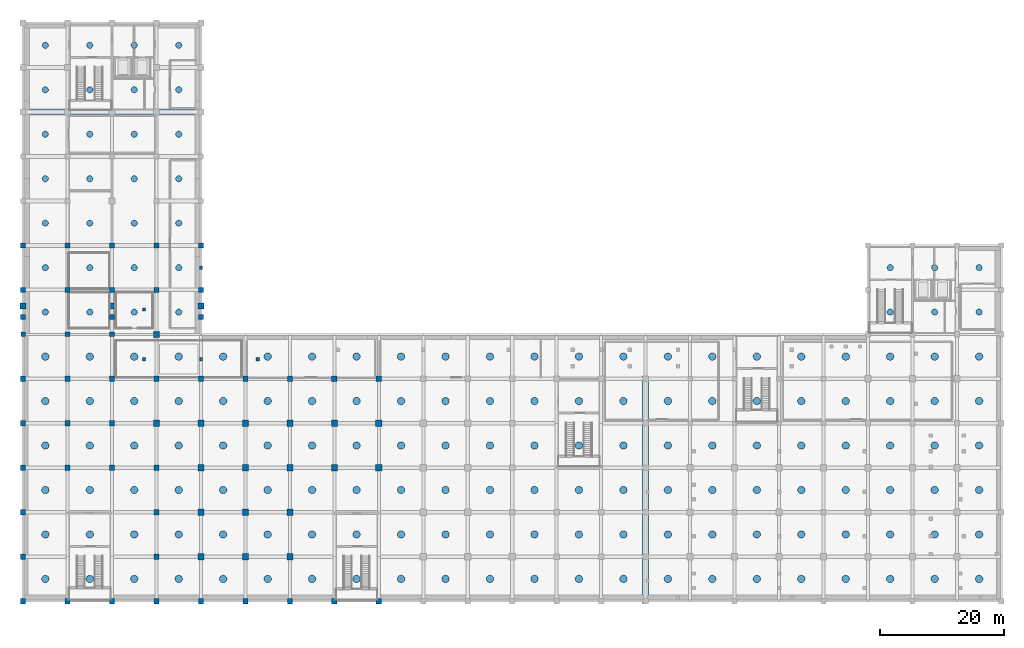
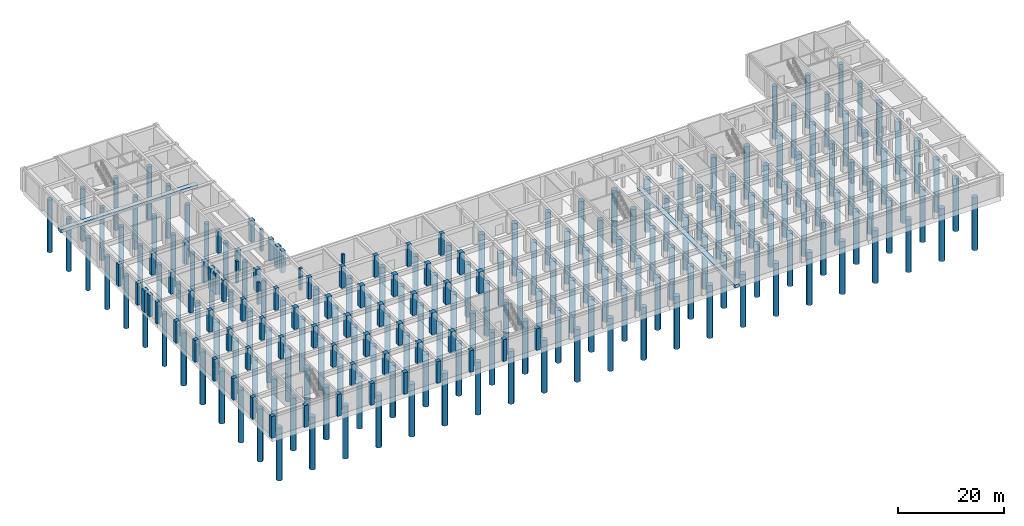
# One storey, part 1 of 15: 166 piles, 71 columns, 2 footings.
"""IFC4 building model written with IfcOpenShell, lengths in metres."""

from ifc_helpers import new_model, si_unit, direction, frame, origin, origin_2d, place, context, subcontext, project, spatial, rectangle, circle, extrude, material, material_profile, profile_set, type_object, element, save


model = new_model("IFC4")

# Units and contexts
model_context = context("Model", 3, precision=1e-05, world=origin(), true_north=direction((0.0, 1.0)))
body_context = subcontext(model_context, "Body", "Model", "MODEL_VIEW")
ifc_project = project(units=[si_unit("LENGTHUNIT", "METRE"), si_unit("AREAUNIT", "SQUARE_METRE"), si_unit("VOLUMEUNIT", "CUBIC_METRE"), si_unit("PLANEANGLEUNIT", "RADIAN"), si_unit("MASSUNIT", "GRAM", prefix="KILO")], contexts=[model_context])

# Site, building, storey
site_placement = place(None, origin())
site = spatial("IfcSite", under=ifc_project, at=site_placement, CompositionType="ELEMENT")
building_placement = place(site_placement, origin())
building = spatial("IfcBuilding", under=site, at=building_placement, Name="Leyfeld Transit Interchange", CompositionType="ELEMENT")
storey_placement = place(building_placement, frame((0.0, 0.0, -10.800048828125)))
storey = spatial("IfcBuildingStorey", under=building, at=storey_placement, Name="B02", CompositionType="ELEMENT", Elevation=-10.800048828125)

# Footings
ifc_material = material(Name="Concrete C35/45", Category="concrete")
footing_type = type_object("IfcFootingType", Name="FT-SF-1200x700", PredefinedType="STRIP_FOOTING", material=ifc_material)
footing_1_placement = place(storey_placement, frame((100.800048828125, 32.39990234375, -0.69970703125), z_axis=(0.0, 0.0, 1.0), x_axis=(1.0, 0.0, 0.0)))
element("IfcFooting", 1, at=footing_1_placement, inside=storey, type_object=footing_type, Name="Movement Joint Strip Footing Grid 15", PredefinedType="STRIP_FOOTING", context=body_context, shape_type="SweptSolid", body=[
    extrude(rectangle(XDim=1.0, YDim=36.85009765625, at=origin_2d()), origin(), (0.0, 0.0, 1.0), 0.699951171875),
])
footing_2_placement = place(storey_placement, frame((14.39990234375, 93.60009765625, -0.69970703125), z_axis=(0.0, 0.0, 1.0), x_axis=(1.0, 0.0, 0.0)))
element("IfcFooting", 2, at=footing_2_placement, inside=storey, type_object=footing_type, Name="Movement Joint Strip Footing Grid P", PredefinedType="STRIP_FOOTING", context=body_context, shape_type="SweptSolid", body=[
    extrude(rectangle(XDim=29.800048828125, YDim=1.0, at=origin_2d()), origin(), (0.0, 0.0, 1.0), 0.699951171875),
])

# Piles
ifc_material_profile_1 = material_profile(ifc_material, circle(Radius=0.5, at=origin_2d()), Name="PILE D1000")
ifc_profile_set_1 = profile_set([ifc_material_profile_1], Name="Concrete C35/45")
pile_type_1 = type_object("IfcPileType", Name="PILE-PL-1000", PredefinedType="BORED", material=ifc_profile_set_1)
for number, where, z_axis, x_axis, name in (
    (3, (3.60009765625, 61.199951171875, -1.050048828125), (0.0, 0.0, -1.0), (1.0, 0.0, 0.0), "Raft Bored Pile 0133"),
    (4, (3.60009765625, 68.39990234375, -1.050048828125), (0.0, 0.0, -1.0), (1.0, 0.0, 0.0), "Raft Bored Pile 0134"),
    (5, (3.60009765625, 75.60009765625, -1.050048828125), (0.0, 0.0, -1.0), (1.0, 0.0, 0.0), "Raft Bored Pile 0135"),
    (6, (3.60009765625, 82.800048828125, -1.050048828125), (0.0, 0.0, -1.0), (1.0, 0.0, 0.0), "Raft Bored Pile 0136"),
    (7, (3.60009765625, 90.0, -1.050048828125), (0.0, 0.0, -1.0), (1.0, 0.0, 0.0), "Raft Bored Pile 0137"),
    (8, (3.60009765625, 97.199951171875, -1.050048828125), (0.0, 0.0, -1.0), (1.0, 0.0, 0.0), "Raft Bored Pile 0138"),
    (9, (3.60009765625, 104.39990234375, -1.050048828125), (0.0, 0.0, -1.0), (1.0, 0.0, 0.0), "Raft Bored Pile 0139"),
    (10, (10.800048828125, 61.199951171875, -1.050048828125), (0.0, 0.0, -1.0), (1.0, 0.0, 0.0), "Raft Bored Pile 0140"),
    (11, (10.800048828125, 68.39990234375, -1.050048828125), (0.0, 0.0, -1.0), (1.0, 0.0, 0.0), "Raft Bored Pile 0141"),
    (12, (10.800048828125, 75.60009765625, -1.050048828125), (0.0, 0.0, -1.0), (1.0, 0.0, 0.0), "Raft Bored Pile 0142"),
    (13, (10.800048828125, 82.800048828125, -1.050048828125), (0.0, 0.0, -1.0), (1.0, 0.0, 0.0), "Raft Bored Pile 0143"),
    (14, (10.800048828125, 90.0, -1.050048828125), (0.0, 0.0, -1.0), (1.0, 0.0, 0.0), "Raft Bored Pile 0144"),
    (15, (10.800048828125, 97.199951171875, -1.050048828125), (0.0, 0.0, -1.0), (1.0, 0.0, 0.0), "Raft Bored Pile 0145"),
    (16, (10.800048828125, 104.39990234375, -1.050048828125), (0.0, 0.0, -1.0), (1.0, 0.0, 0.0), "Raft Bored Pile 0146"),
    (17, (18.0, 61.199951171875, -1.050048828125), (0.0, 0.0, -1.0), (1.0, 0.0, 0.0), "Raft Bored Pile 0147"),
    (18, (18.0, 68.39990234375, -1.050048828125), (0.0, 0.0, -1.0), (1.0, 0.0, 0.0), "Raft Bored Pile 0148"),
    (19, (18.0, 75.60009765625, -1.050048828125), (0.0, 0.0, -1.0), (1.0, 0.0, 0.0), "Raft Bored Pile 0149"),
    (20, (18.0, 82.800048828125, -1.050048828125), (0.0, 0.0, -1.0), (1.0, 0.0, 0.0), "Raft Bored Pile 0150"),
    (21, (18.0, 90.0, -1.050048828125), (0.0, 0.0, -1.0), (1.0, 0.0, 0.0), "Raft Bored Pile 0151"),
    (22, (18.0, 97.199951171875, -1.050048828125), (0.0, 0.0, -1.0), (1.0, 0.0, 0.0), "Raft Bored Pile 0152"),
    (23, (18.0, 104.39990234375, -1.050048828125), (0.0, 0.0, -1.0), (1.0, 0.0, 0.0), "Raft Bored Pile 0153"),
    (24, (25.199951171875, 61.199951171875, -1.050048828125), (0.0, 0.0, -1.0), (1.0, 0.0, 0.0), "Raft Bored Pile 0154"),
    (25, (25.199951171875, 68.39990234375, -1.050048828125), (0.0, 0.0, -1.0), (1.0, 0.0, 0.0), "Raft Bored Pile 0155"),
    (26, (25.199951171875, 75.60009765625, -1.050048828125), (0.0, 0.0, -1.0), (1.0, 0.0, 0.0), "Raft Bored Pile 0156"),
    (27, (25.199951171875, 82.800048828125, -1.050048828125), (0.0, 0.0, -1.0), (1.0, 0.0, 0.0), "Raft Bored Pile 0157"),
    (28, (25.199951171875, 90.0, -1.050048828125), (0.0, 0.0, -1.0), (1.0, 0.0, 0.0), "Raft Bored Pile 0158"),
    (29, (25.199951171875, 97.199951171875, -1.050048828125), (0.0, 0.0, -1.0), (1.0, 0.0, 0.0), "Raft Bored Pile 0159"),
    (30, (25.199951171875, 104.39990234375, -1.050048828125), (0.0, 0.0, -1.0), (1.0, 0.0, 0.0), "Raft Bored Pile 0160"),
    (31, (140.39990234375, 61.199951171875, -1.050048828125), (0.0, 0.0, -1.0), (1.0, 0.0, 0.0), "Raft Bored Pile 0161"),
    (32, (140.39990234375, 68.39990234375, -1.050048828125), (0.0, 0.0, -1.0), (1.0, 0.0, 0.0), "Raft Bored Pile 0162"),
    (33, (147.60009765625, 61.199951171875, -1.050048828125), (0.0, 0.0, -1.0), (1.0, 0.0, 0.0), "Raft Bored Pile 0163"),
    (34, (147.60009765625, 68.39990234375, -1.050048828125), (0.0, 0.0, -1.0), (1.0, 0.0, 0.0), "Raft Bored Pile 0164"),
    (35, (154.800048828125, 61.199951171875, -1.050048828125), (0.0, 0.0, -1.0), (1.0, 0.0, 0.0), "Raft Bored Pile 0165"),
    (36, (154.800048828125, 68.39990234375, -1.050048828125), (0.0, 0.0, -1.0), (1.0, 0.0, 0.0), "Raft Bored Pile 0166"),
):
    element("IfcPile", number, at=place(storey_placement, frame(where, z_axis=z_axis, x_axis=x_axis)), inside=storey, type_object=pile_type_1, Name=name, PredefinedType="BORED", context=body_context, shape_type="SweptSolid", body=[
        extrude(circle(Radius=0.5, at=origin_2d()), origin(), (0.0, 0.0, 1.0), 12.14990234375),
    ])
ifc_material_profile_2 = material_profile(ifc_material, circle(Radius=0.60009765625, at=origin_2d()), Name="PILE D1200")
ifc_profile_set_2 = profile_set([ifc_material_profile_2], Name="Concrete C35/45")
pile_type_2 = type_object("IfcPileType", Name="PILE-PL-1200", PredefinedType="BORED", material=ifc_profile_set_2)
for number, where, z_axis, x_axis, name in (
    (37, (3.60009765625, 18.0, -1.050048828125), (0.0, 0.0, -1.0), (1.0, 0.0, 0.0), "Raft Bored Pile 0001"),
    (38, (3.60009765625, 25.199951171875, -1.050048828125), (0.0, 0.0, -1.0), (1.0, 0.0, 0.0), "Raft Bored Pile 0002"),
    (39, (3.60009765625, 32.39990234375, -1.050048828125), (0.0, 0.0, -1.0), (1.0, 0.0, 0.0), "Raft Bored Pile 0003"),
    (40, (3.60009765625, 39.60009765625, -1.050048828125), (0.0, 0.0, -1.0), (1.0, 0.0, 0.0), "Raft Bored Pile 0004"),
    (41, (3.60009765625, 46.800048828125, -1.050048828125), (0.0, 0.0, -1.0), (1.0, 0.0, 0.0), "Raft Bored Pile 0005"),
    (42, (3.60009765625, 54.0, -1.050048828125), (0.0, 0.0, -1.0), (1.0, 0.0, 0.0), "Raft Bored Pile 0006"),
    (43, (10.800048828125, 18.0, -1.050048828125), (0.0, 0.0, -1.0), (1.0, 0.0, 0.0), "Raft Bored Pile 0007"),
    (44, (10.800048828125, 25.199951171875, -1.050048828125), (0.0, 0.0, -1.0), (1.0, 0.0, 0.0), "Raft Bored Pile 0008"),
    (45, (10.800048828125, 32.39990234375, -1.050048828125), (0.0, 0.0, -1.0), (1.0, 0.0, 0.0), "Raft Bored Pile 0009"),
    (46, (10.800048828125, 39.60009765625, -1.050048828125), (0.0, 0.0, -1.0), (1.0, 0.0, 0.0), "Raft Bored Pile 0010"),
    (47, (10.800048828125, 46.800048828125, -1.050048828125), (0.0, 0.0, -1.0), (1.0, 0.0, 0.0), "Raft Bored Pile 0011"),
    (48, (10.800048828125, 54.0, -1.050048828125), (0.0, 0.0, -1.0), (1.0, 0.0, 0.0), "Raft Bored Pile 0012"),
    (49, (18.0, 18.0, -1.050048828125), (0.0, 0.0, -1.0), (1.0, 0.0, 0.0), "Raft Bored Pile 0013"),
    (50, (18.0, 25.199951171875, -1.050048828125), (0.0, 0.0, -1.0), (1.0, 0.0, 0.0), "Raft Bored Pile 0014"),
    (51, (18.0, 32.39990234375, -1.050048828125), (0.0, 0.0, -1.0), (1.0, 0.0, 0.0), "Raft Bored Pile 0015"),
    (52, (18.0, 39.60009765625, -1.050048828125), (0.0, 0.0, -1.0), (1.0, 0.0, 0.0), "Raft Bored Pile 0016"),
    (53, (18.0, 46.800048828125, -1.050048828125), (0.0, 0.0, -1.0), (1.0, 0.0, 0.0), "Raft Bored Pile 0017"),
    (54, (18.0, 54.0, -1.050048828125), (0.0, 0.0, -1.0), (1.0, 0.0, 0.0), "Raft Bored Pile 0018"),
    (55, (25.199951171875, 18.0, -1.050048828125), (0.0, 0.0, -1.0), (1.0, 0.0, 0.0), "Raft Bored Pile 0019"),
    (56, (25.199951171875, 25.199951171875, -1.050048828125), (0.0, 0.0, -1.0), (1.0, 0.0, 0.0), "Raft Bored Pile 0020"),
    (57, (25.199951171875, 32.39990234375, -1.050048828125), (0.0, 0.0, -1.0), (1.0, 0.0, 0.0), "Raft Bored Pile 0021"),
    (58, (25.199951171875, 39.60009765625, -1.050048828125), (0.0, 0.0, -1.0), (1.0, 0.0, 0.0), "Raft Bored Pile 0022"),
    (59, (25.199951171875, 46.800048828125, -1.050048828125), (0.0, 0.0, -1.0), (1.0, 0.0, 0.0), "Raft Bored Pile 0023"),
    (60, (25.199951171875, 54.0, -1.050048828125), (0.0, 0.0, -1.0), (1.0, 0.0, 0.0), "Raft Bored Pile 0024"),
    (61, (32.39990234375, 18.0, -1.050048828125), (0.0, 0.0, -1.0), (1.0, 0.0, 0.0), "Raft Bored Pile 0025"),
    (62, (32.39990234375, 25.199951171875, -1.050048828125), (0.0, 0.0, -1.0), (1.0, 0.0, 0.0), "Raft Bored Pile 0026"),
    (63, (32.39990234375, 32.39990234375, -1.050048828125), (0.0, 0.0, -1.0), (1.0, 0.0, 0.0), "Raft Bored Pile 0027"),
    (64, (32.39990234375, 39.60009765625, -1.050048828125), (0.0, 0.0, -1.0), (1.0, 0.0, 0.0), "Raft Bored Pile 0028"),
    (65, (32.39990234375, 46.800048828125, -1.050048828125), (0.0, 0.0, -1.0), (1.0, 0.0, 0.0), "Raft Bored Pile 0029"),
    (66, (32.39990234375, 54.0, -1.050048828125), (0.0, 0.0, -1.0), (1.0, 0.0, 0.0), "Raft Bored Pile 0030"),
    (67, (39.60009765625, 18.0, -1.050048828125), (0.0, 0.0, -1.0), (1.0, 0.0, 0.0), "Raft Bored Pile 0031"),
    (68, (39.60009765625, 25.199951171875, -1.050048828125), (0.0, 0.0, -1.0), (1.0, 0.0, 0.0), "Raft Bored Pile 0032"),
    (69, (39.60009765625, 32.39990234375, -1.050048828125), (0.0, 0.0, -1.0), (1.0, 0.0, 0.0), "Raft Bored Pile 0033"),
    (70, (39.60009765625, 39.60009765625, -1.050048828125), (0.0, 0.0, -1.0), (1.0, 0.0, 0.0), "Raft Bored Pile 0034"),
    (71, (39.60009765625, 46.800048828125, -1.050048828125), (0.0, 0.0, -1.0), (1.0, 0.0, 0.0), "Raft Bored Pile 0035"),
    (72, (39.60009765625, 54.0, -1.050048828125), (0.0, 0.0, -1.0), (1.0, 0.0, 0.0), "Raft Bored Pile 0036"),
    (73, (46.800048828125, 18.0, -1.050048828125), (0.0, 0.0, -1.0), (1.0, 0.0, 0.0), "Raft Bored Pile 0037"),
    (74, (46.800048828125, 25.199951171875, -1.050048828125), (0.0, 0.0, -1.0), (1.0, 0.0, 0.0), "Raft Bored Pile 0038"),
    (75, (46.800048828125, 32.39990234375, -1.050048828125), (0.0, 0.0, -1.0), (1.0, 0.0, 0.0), "Raft Bored Pile 0039"),
    (76, (46.800048828125, 39.60009765625, -1.050048828125), (0.0, 0.0, -1.0), (1.0, 0.0, 0.0), "Raft Bored Pile 0040"),
    (77, (46.800048828125, 46.800048828125, -1.050048828125), (0.0, 0.0, -1.0), (1.0, 0.0, 0.0), "Raft Bored Pile 0041"),
    (78, (46.800048828125, 54.0, -1.050048828125), (0.0, 0.0, -1.0), (1.0, 0.0, 0.0), "Raft Bored Pile 0042"),
    (79, (54.0, 18.0, -1.050048828125), (0.0, 0.0, -1.0), (1.0, 0.0, 0.0), "Raft Bored Pile 0043"),
    (80, (54.0, 25.199951171875, -1.050048828125), (0.0, 0.0, -1.0), (1.0, 0.0, 0.0), "Raft Bored Pile 0044"),
    (81, (54.0, 32.39990234375, -1.050048828125), (0.0, 0.0, -1.0), (1.0, 0.0, 0.0), "Raft Bored Pile 0045"),
    (82, (54.0, 39.60009765625, -1.050048828125), (0.0, 0.0, -1.0), (1.0, 0.0, 0.0), "Raft Bored Pile 0046"),
    (83, (54.0, 46.800048828125, -1.050048828125), (0.0, 0.0, -1.0), (1.0, 0.0, 0.0), "Raft Bored Pile 0047"),
    (84, (54.0, 54.0, -1.050048828125), (0.0, 0.0, -1.0), (1.0, 0.0, 0.0), "Raft Bored Pile 0048"),
    (85, (61.199951171875, 18.0, -1.050048828125), (0.0, 0.0, -1.0), (1.0, 0.0, 0.0), "Raft Bored Pile 0049"),
    (86, (61.199951171875, 25.199951171875, -1.050048828125), (0.0, 0.0, -1.0), (1.0, 0.0, 0.0), "Raft Bored Pile 0050"),
    (87, (61.199951171875, 32.39990234375, -1.050048828125), (0.0, 0.0, -1.0), (1.0, 0.0, 0.0), "Raft Bored Pile 0051"),
    (88, (61.199951171875, 39.60009765625, -1.050048828125), (0.0, 0.0, -1.0), (1.0, 0.0, 0.0), "Raft Bored Pile 0052"),
    (89, (61.199951171875, 46.800048828125, -1.050048828125), (0.0, 0.0, -1.0), (1.0, 0.0, 0.0), "Raft Bored Pile 0053"),
    (90, (61.199951171875, 54.0, -1.050048828125), (0.0, 0.0, -1.0), (1.0, 0.0, 0.0), "Raft Bored Pile 0054"),
    (91, (68.39990234375, 18.0, -1.050048828125), (0.0, 0.0, -1.0), (1.0, 0.0, 0.0), "Raft Bored Pile 0055"),
    (92, (68.39990234375, 25.199951171875, -1.050048828125), (0.0, 0.0, -1.0), (1.0, 0.0, 0.0), "Raft Bored Pile 0056"),
    (93, (68.39990234375, 32.39990234375, -1.050048828125), (0.0, 0.0, -1.0), (1.0, 0.0, 0.0), "Raft Bored Pile 0057"),
    (94, (68.39990234375, 39.60009765625, -1.050048828125), (0.0, 0.0, -1.0), (1.0, 0.0, 0.0), "Raft Bored Pile 0058"),
    (95, (68.39990234375, 46.800048828125, -1.050048828125), (0.0, 0.0, -1.0), (1.0, 0.0, 0.0), "Raft Bored Pile 0059"),
    (96, (68.39990234375, 54.0, -1.050048828125), (0.0, 0.0, -1.0), (1.0, 0.0, 0.0), "Raft Bored Pile 0060"),
    (97, (75.60009765625, 18.0, -1.050048828125), (0.0, 0.0, -1.0), (1.0, 0.0, 0.0), "Raft Bored Pile 0061"),
    (98, (75.60009765625, 25.199951171875, -1.050048828125), (0.0, 0.0, -1.0), (1.0, 0.0, 0.0), "Raft Bored Pile 0062"),
    (99, (75.60009765625, 32.39990234375, -1.050048828125), (0.0, 0.0, -1.0), (1.0, 0.0, 0.0), "Raft Bored Pile 0063"),
    (100, (75.60009765625, 39.60009765625, -1.050048828125), (0.0, 0.0, -1.0), (1.0, 0.0, 0.0), "Raft Bored Pile 0064"),
    (101, (75.60009765625, 46.800048828125, -1.050048828125), (0.0, 0.0, -1.0), (1.0, 0.0, 0.0), "Raft Bored Pile 0065"),
    (102, (75.60009765625, 54.0, -1.050048828125), (0.0, 0.0, -1.0), (1.0, 0.0, 0.0), "Raft Bored Pile 0066"),
    (103, (82.800048828125, 18.0, -1.050048828125), (0.0, 0.0, -1.0), (1.0, 0.0, 0.0), "Raft Bored Pile 0067"),
    (104, (82.800048828125, 25.199951171875, -1.050048828125), (0.0, 0.0, -1.0), (1.0, 0.0, 0.0), "Raft Bored Pile 0068"),
    (105, (82.800048828125, 32.39990234375, -1.050048828125), (0.0, 0.0, -1.0), (1.0, 0.0, 0.0), "Raft Bored Pile 0069"),
    (106, (82.800048828125, 39.60009765625, -1.050048828125), (0.0, 0.0, -1.0), (1.0, 0.0, 0.0), "Raft Bored Pile 0070"),
    (107, (82.800048828125, 46.800048828125, -1.050048828125), (0.0, 0.0, -1.0), (1.0, 0.0, 0.0), "Raft Bored Pile 0071"),
    (108, (82.800048828125, 54.0, -1.050048828125), (0.0, 0.0, -1.0), (1.0, 0.0, 0.0), "Raft Bored Pile 0072"),
    (109, (90.0, 18.0, -1.050048828125), (0.0, 0.0, -1.0), (1.0, 0.0, 0.0), "Raft Bored Pile 0073"),
    (110, (90.0, 25.199951171875, -1.050048828125), (0.0, 0.0, -1.0), (1.0, 0.0, 0.0), "Raft Bored Pile 0074"),
    (111, (90.0, 32.39990234375, -1.050048828125), (0.0, 0.0, -1.0), (1.0, 0.0, 0.0), "Raft Bored Pile 0075"),
    (112, (90.0, 39.60009765625, -1.050048828125), (0.0, 0.0, -1.0), (1.0, 0.0, 0.0), "Raft Bored Pile 0076"),
    (113, (90.0, 46.800048828125, -1.050048828125), (0.0, 0.0, -1.0), (1.0, 0.0, 0.0), "Raft Bored Pile 0077"),
    (114, (90.0, 54.0, -1.050048828125), (0.0, 0.0, -1.0), (1.0, 0.0, 0.0), "Raft Bored Pile 0078"),
    (115, (97.199951171875, 18.0, -1.050048828125), (0.0, 0.0, -1.0), (1.0, 0.0, 0.0), "Raft Bored Pile 0079"),
    (116, (97.199951171875, 25.199951171875, -1.050048828125), (0.0, 0.0, -1.0), (1.0, 0.0, 0.0), "Raft Bored Pile 0080"),
    (117, (97.199951171875, 32.39990234375, -1.050048828125), (0.0, 0.0, -1.0), (1.0, 0.0, 0.0), "Raft Bored Pile 0081"),
    (118, (97.199951171875, 39.60009765625, -1.050048828125), (0.0, 0.0, -1.0), (1.0, 0.0, 0.0), "Raft Bored Pile 0082"),
    (119, (97.199951171875, 46.800048828125, -1.050048828125), (0.0, 0.0, -1.0), (1.0, 0.0, 0.0), "Raft Bored Pile 0083"),
    (120, (97.199951171875, 54.0, -1.050048828125), (0.0, 0.0, -1.0), (1.0, 0.0, 0.0), "Raft Bored Pile 0084"),
    (121, (104.39990234375, 18.0, -1.050048828125), (0.0, 0.0, -1.0), (1.0, 0.0, 0.0), "Raft Bored Pile 0085"),
    (122, (104.39990234375, 25.199951171875, -1.050048828125), (0.0, 0.0, -1.0), (1.0, 0.0, 0.0), "Raft Bored Pile 0086"),
    (123, (104.39990234375, 32.39990234375, -1.050048828125), (0.0, 0.0, -1.0), (1.0, 0.0, 0.0), "Raft Bored Pile 0087"),
    (124, (104.39990234375, 39.60009765625, -1.050048828125), (0.0, 0.0, -1.0), (1.0, 0.0, 0.0), "Raft Bored Pile 0088"),
    (125, (104.39990234375, 46.800048828125, -1.050048828125), (0.0, 0.0, -1.0), (1.0, 0.0, 0.0), "Raft Bored Pile 0089"),
    (126, (104.39990234375, 54.0, -1.050048828125), (0.0, 0.0, -1.0), (1.0, 0.0, 0.0), "Raft Bored Pile 0090"),
    (127, (111.60009765625, 18.0, -1.050048828125), (0.0, 0.0, -1.0), (1.0, 0.0, 0.0), "Raft Bored Pile 0091"),
    (128, (111.60009765625, 25.199951171875, -1.050048828125), (0.0, 0.0, -1.0), (1.0, 0.0, 0.0), "Raft Bored Pile 0092"),
    (129, (111.60009765625, 32.39990234375, -1.050048828125), (0.0, 0.0, -1.0), (1.0, 0.0, 0.0), "Raft Bored Pile 0093"),
    (130, (111.60009765625, 39.60009765625, -1.050048828125), (0.0, 0.0, -1.0), (1.0, 0.0, 0.0), "Raft Bored Pile 0094"),
    (131, (111.60009765625, 46.800048828125, -1.050048828125), (0.0, 0.0, -1.0), (1.0, 0.0, 0.0), "Raft Bored Pile 0095"),
    (132, (111.60009765625, 54.0, -1.050048828125), (0.0, 0.0, -1.0), (1.0, 0.0, 0.0), "Raft Bored Pile 0096"),
    (133, (118.800048828125, 18.0, -1.050048828125), (0.0, 0.0, -1.0), (1.0, 0.0, 0.0), "Raft Bored Pile 0097"),
    (134, (118.800048828125, 25.199951171875, -1.050048828125), (0.0, 0.0, -1.0), (1.0, 0.0, 0.0), "Raft Bored Pile 0098"),
    (135, (118.800048828125, 32.39990234375, -1.050048828125), (0.0, 0.0, -1.0), (1.0, 0.0, 0.0), "Raft Bored Pile 0099"),
    (136, (118.800048828125, 39.60009765625, -1.050048828125), (0.0, 0.0, -1.0), (1.0, 0.0, 0.0), "Raft Bored Pile 0100"),
    (137, (118.800048828125, 46.800048828125, -1.050048828125), (0.0, 0.0, -1.0), (1.0, 0.0, 0.0), "Raft Bored Pile 0101"),
    (138, (118.800048828125, 54.0, -1.050048828125), (0.0, 0.0, -1.0), (1.0, 0.0, 0.0), "Raft Bored Pile 0102"),
    (139, (126.0, 18.0, -1.050048828125), (0.0, 0.0, -1.0), (1.0, 0.0, 0.0), "Raft Bored Pile 0103"),
    (140, (126.0, 25.199951171875, -1.050048828125), (0.0, 0.0, -1.0), (1.0, 0.0, 0.0), "Raft Bored Pile 0104"),
    (141, (126.0, 32.39990234375, -1.050048828125), (0.0, 0.0, -1.0), (1.0, 0.0, 0.0), "Raft Bored Pile 0105"),
    (142, (126.0, 39.60009765625, -1.050048828125), (0.0, 0.0, -1.0), (1.0, 0.0, 0.0), "Raft Bored Pile 0106"),
    (143, (126.0, 46.800048828125, -1.050048828125), (0.0, 0.0, -1.0), (1.0, 0.0, 0.0), "Raft Bored Pile 0107"),
    (144, (126.0, 54.0, -1.050048828125), (0.0, 0.0, -1.0), (1.0, 0.0, 0.0), "Raft Bored Pile 0108"),
    (145, (133.199951171875, 18.0, -1.050048828125), (0.0, 0.0, -1.0), (1.0, 0.0, 0.0), "Raft Bored Pile 0109"),
    (146, (133.199951171875, 25.199951171875, -1.050048828125), (0.0, 0.0, -1.0), (1.0, 0.0, 0.0), "Raft Bored Pile 0110"),
    (147, (133.199951171875, 32.39990234375, -1.050048828125), (0.0, 0.0, -1.0), (1.0, 0.0, 0.0), "Raft Bored Pile 0111"),
    (148, (133.199951171875, 39.60009765625, -1.050048828125), (0.0, 0.0, -1.0), (1.0, 0.0, 0.0), "Raft Bored Pile 0112"),
    (149, (133.199951171875, 46.800048828125, -1.050048828125), (0.0, 0.0, -1.0), (1.0, 0.0, 0.0), "Raft Bored Pile 0113"),
    (150, (133.199951171875, 54.0, -1.050048828125), (0.0, 0.0, -1.0), (1.0, 0.0, 0.0), "Raft Bored Pile 0114"),
    (151, (140.39990234375, 18.0, -1.050048828125), (0.0, 0.0, -1.0), (1.0, 0.0, 0.0), "Raft Bored Pile 0115"),
    (152, (140.39990234375, 25.199951171875, -1.050048828125), (0.0, 0.0, -1.0), (1.0, 0.0, 0.0), "Raft Bored Pile 0116"),
    (153, (140.39990234375, 32.39990234375, -1.050048828125), (0.0, 0.0, -1.0), (1.0, 0.0, 0.0), "Raft Bored Pile 0117"),
    (154, (140.39990234375, 39.60009765625, -1.050048828125), (0.0, 0.0, -1.0), (1.0, 0.0, 0.0), "Raft Bored Pile 0118"),
    (155, (140.39990234375, 46.800048828125, -1.050048828125), (0.0, 0.0, -1.0), (1.0, 0.0, 0.0), "Raft Bored Pile 0119"),
    (156, (140.39990234375, 54.0, -1.050048828125), (0.0, 0.0, -1.0), (1.0, 0.0, 0.0), "Raft Bored Pile 0120"),
    (157, (147.60009765625, 18.0, -1.050048828125), (0.0, 0.0, -1.0), (1.0, 0.0, 0.0), "Raft Bored Pile 0121"),
    (158, (147.60009765625, 25.199951171875, -1.050048828125), (0.0, 0.0, -1.0), (1.0, 0.0, 0.0), "Raft Bored Pile 0122"),
    (159, (147.60009765625, 32.39990234375, -1.050048828125), (0.0, 0.0, -1.0), (1.0, 0.0, 0.0), "Raft Bored Pile 0123"),
    (160, (147.60009765625, 39.60009765625, -1.050048828125), (0.0, 0.0, -1.0), (1.0, 0.0, 0.0), "Raft Bored Pile 0124"),
    (161, (147.60009765625, 46.800048828125, -1.050048828125), (0.0, 0.0, -1.0), (1.0, 0.0, 0.0), "Raft Bored Pile 0125"),
    (162, (147.60009765625, 54.0, -1.050048828125), (0.0, 0.0, -1.0), (1.0, 0.0, 0.0), "Raft Bored Pile 0126"),
    (163, (154.800048828125, 18.0, -1.050048828125), (0.0, 0.0, -1.0), (1.0, 0.0, 0.0), "Raft Bored Pile 0127"),
    (164, (154.800048828125, 25.199951171875, -1.050048828125), (0.0, 0.0, -1.0), (1.0, 0.0, 0.0), "Raft Bored Pile 0128"),
    (165, (154.800048828125, 32.39990234375, -1.050048828125), (0.0, 0.0, -1.0), (1.0, 0.0, 0.0), "Raft Bored Pile 0129"),
    (166, (154.800048828125, 39.60009765625, -1.050048828125), (0.0, 0.0, -1.0), (1.0, 0.0, 0.0), "Raft Bored Pile 0130"),
    (167, (154.800048828125, 46.800048828125, -1.050048828125), (0.0, 0.0, -1.0), (1.0, 0.0, 0.0), "Raft Bored Pile 0131"),
    (168, (154.800048828125, 54.0, -1.050048828125), (0.0, 0.0, -1.0), (1.0, 0.0, 0.0), "Raft Bored Pile 0132"),
):
    element("IfcPile", number, at=place(storey_placement, frame(where, z_axis=z_axis, x_axis=x_axis)), inside=storey, type_object=pile_type_2, Name=name, PredefinedType="BORED", context=body_context, shape_type="SweptSolid", body=[
        extrude(circle(Radius=0.60009765625, at=origin_2d()), origin(), (0.0, 0.0, 1.0), 12.14990234375),
    ])

# Columns
ifc_material_profile_3 = material_profile(ifc_material, rectangle(XDim=1.0, YDim=1.0, at=origin_2d()), Name="RC 1000x1000")
ifc_profile_set_3 = profile_set([ifc_material_profile_3], Name="Concrete C35/45")
column_type_1 = type_object("IfcColumnType", Name="COL-RC-1000", PredefinedType="COLUMN", material=ifc_profile_set_3)
for number, where, z_axis, x_axis, name in (
    (169, (0.0, 62.199951171875, 0.0), (0.0, 0.0, 1.0), (1.0, 0.0, 0.0), "Column COL-B02-0000_0622"),
    (170, (14.39990234375, 62.199951171875, 0.0), (0.0, 0.0, 1.0), (1.0, 0.0, 0.0), "Column COL-B02-0144_0622"),
    (171, (21.60009765625, 43.199951171875, 0.0), (0.0, 0.0, 1.0), (1.0, 0.0, 0.0), "Column COL-B02-0216_0432"),
    (172, (21.60009765625, 57.60009765625, 0.0), (0.0, 0.0, 1.0), (1.0, 0.0, 0.0), "Column COL-B02-0216_0576"),
    (173, (28.800048828125, 21.60009765625, 0.0), (0.0, 0.0, 1.0), (1.0, 0.0, 0.0), "Column COL-B02-0288_0216"),
    (174, (28.800048828125, 28.800048828125, 0.0), (0.0, 0.0, 1.0), (1.0, 0.0, 0.0), "Column COL-B02-0288_0288"),
    (175, (28.800048828125, 36.0, 0.0), (0.0, 0.0, 1.0), (1.0, 0.0, 0.0), "Column COL-B02-0288_0360"),
    (176, (28.800048828125, 43.199951171875, 0.0), (0.0, 0.0, 1.0), (1.0, 0.0, 0.0), "Column COL-B02-0288_0432"),
    (177, (28.800048828125, 62.199951171875, 0.0), (0.0, 0.0, 1.0), (1.0, 0.0, 0.0), "Column COL-B02-0288_0622"),
    (178, (36.0, 21.60009765625, 0.0), (0.0, 0.0, 1.0), (1.0, 0.0, 0.0), "Column COL-B02-0360_0216"),
    (179, (36.0, 28.800048828125, 0.0), (0.0, 0.0, 1.0), (1.0, 0.0, 0.0), "Column COL-B02-0360_0288"),
    (180, (36.0, 36.0, 0.0), (0.0, 0.0, 1.0), (1.0, 0.0, 0.0), "Column COL-B02-0360_0360"),
    (181, (36.0, 43.199951171875, 0.0), (0.0, 0.0, 1.0), (1.0, 0.0, 0.0), "Column COL-B02-0360_0432"),
    (182, (43.199951171875, 21.60009765625, 0.0), (0.0, 0.0, 1.0), (1.0, 0.0, 0.0), "Column COL-B02-0432_0216"),
    (183, (43.199951171875, 28.800048828125, 0.0), (0.0, 0.0, 1.0), (1.0, 0.0, 0.0), "Column COL-B02-0432_0288"),
    (184, (43.199951171875, 36.0, 0.0), (0.0, 0.0, 1.0), (1.0, 0.0, 0.0), "Column COL-B02-0432_0360"),
    (185, (43.199951171875, 43.199951171875, 0.0), (0.0, 0.0, 1.0), (1.0, 0.0, 0.0), "Column COL-B02-0432_0432"),
    (186, (50.39990234375, 36.0, 0.0), (0.0, 0.0, 1.0), (1.0, 0.0, 0.0), "Column COL-B02-0504_0360"),
    (187, (50.39990234375, 43.199951171875, 0.0), (0.0, 0.0, 1.0), (1.0, 0.0, 0.0), "Column COL-B02-0504_0432"),
    (188, (57.60009765625, 36.0, 0.0), (0.0, 0.0, 1.0), (1.0, 0.0, 0.0), "Column COL-B02-0576_0360"),
    (189, (57.60009765625, 43.199951171875, 0.0), (0.0, 0.0, 1.0), (1.0, 0.0, 0.0), "Column COL-B02-0576_0432"),
):
    element("IfcColumn", number, at=place(storey_placement, frame(where, z_axis=z_axis, x_axis=x_axis)), inside=storey, type_object=column_type_1, Name=name, PredefinedType="COLUMN", context=body_context, shape_type="SweptSolid", body=[
        extrude(rectangle(XDim=1.0, YDim=1.0, at=origin_2d()), origin(), (0.0, 0.0, 1.0), 5.0),
    ])
ifc_material_profile_4 = material_profile(ifc_material, rectangle(XDim=0.550048828125, YDim=0.550048828125, at=origin_2d()), Name="RC 550x550")
ifc_profile_set_4 = profile_set([ifc_material_profile_4], Name="Concrete C35/45")
column_type_2 = type_object("IfcColumnType", Name="COL-RC-550", PredefinedType="COLUMN", material=ifc_profile_set_4)
for number, where, z_axis, x_axis, name in (
    (190, (19.583984375, 53.568115234375, 0.0), (0.0, 0.0, 1.0), (1.0, 0.0, 0.0), "Plaza Support Column B02 019"),
    (191, (19.583984375, 61.632080078125, 0.0), (0.0, 0.0, 1.0), (1.0, 0.0, 0.0), "Plaza Support Column B02 020"),
    (192, (28.800048828125, 53.568115234375, 0.0), (0.0, 0.0, 1.0), (1.0, 0.0, 0.0), "Plaza Support Column B02 021"),
    (193, (38.01611328125, 53.568115234375, 0.0), (0.0, 0.0, 1.0), (1.0, 0.0, 0.0), "Plaza Support Column B02 022"),
    (194, (28.800048828125, 68.39990234375, 0.0), (0.0, 0.0, 1.0), (1.0, 0.0, 0.0), "Cycle Ramp Pier B02"),
):
    element("IfcColumn", number, at=place(storey_placement, frame(where, z_axis=z_axis, x_axis=x_axis)), inside=storey, type_object=column_type_2, Name=name, PredefinedType="COLUMN", context=body_context, shape_type="SweptSolid", body=[
        extrude(rectangle(XDim=0.550048828125, YDim=0.550048828125, at=origin_2d()), origin(), (0.0, 0.0, 1.0), 5.0),
    ])
ifc_material_profile_5 = material_profile(ifc_material, rectangle(XDim=0.75, YDim=0.75, at=origin_2d()), Name="RC 750x750")
ifc_profile_set_5 = profile_set([ifc_material_profile_5], Name="Concrete C35/45")
column_type_3 = type_object("IfcColumnType", Name="COL-RC-750", PredefinedType="COLUMN", material=ifc_profile_set_5)
for number, where, z_axis, x_axis, name in (
    (195, (0.0, 57.60009765625, 0.0), (0.0, 0.0, 1.0), (1.0, 0.0, 0.0), "Column COL-B02-0000_0576"),
    (196, (7.199951171875, 57.60009765625, 0.0), (0.0, 0.0, 1.0), (1.0, 0.0, 0.0), "Column COL-B02-0072_0576"),
    (197, (14.39990234375, 57.60009765625, 0.0), (0.0, 0.0, 1.0), (1.0, 0.0, 0.0), "Column COL-B02-0144_0576"),
):
    element("IfcColumn", number, at=place(storey_placement, frame(where, z_axis=z_axis, x_axis=x_axis)), inside=storey, type_object=column_type_3, Name=name, PredefinedType="COLUMN", context=body_context, shape_type="SweptSolid", body=[
        extrude(rectangle(XDim=0.75, YDim=0.75, at=origin_2d()), origin(), (0.0, 0.0, 1.0), 5.0),
    ])
ifc_material_profile_6 = material_profile(ifc_material, rectangle(XDim=0.85009765625, YDim=0.85009765625, at=origin_2d()), Name="RC 850x850")
ifc_profile_set_6 = profile_set([ifc_material_profile_6], Name="Concrete C35/45")
column_type_4 = type_object("IfcColumnType", Name="COL-RC-850", PredefinedType="COLUMN", material=ifc_profile_set_6)
for number, where, z_axis, x_axis, name in (
    (198, (0.0, 14.39990234375, 0.0), (0.0, 0.0, 1.0), (1.0, 0.0, 0.0), "Column COL-B02-0000_0144"),
    (199, (0.0, 21.60009765625, 0.0), (0.0, 0.0, 1.0), (1.0, 0.0, 0.0), "Column COL-B02-0000_0216"),
    (200, (0.0, 28.800048828125, 0.0), (0.0, 0.0, 1.0), (1.0, 0.0, 0.0), "Column COL-B02-0000_0288"),
    (201, (0.0, 36.0, 0.0), (0.0, 0.0, 1.0), (1.0, 0.0, 0.0), "Column COL-B02-0000_0360"),
    (202, (0.0, 43.199951171875, 0.0), (0.0, 0.0, 1.0), (1.0, 0.0, 0.0), "Column COL-B02-0000_0432"),
    (203, (0.0, 50.39990234375, 0.0), (0.0, 0.0, 1.0), (1.0, 0.0, 0.0), "Column COL-B02-0000_0504"),
    (204, (0.0, 60.39990234375, 0.0), (0.0, 0.0, 1.0), (1.0, 0.0, 0.0), "Column COL-B02-0000_0604"),
    (205, (0.0, 64.800048828125, 0.0), (0.0, 0.0, 1.0), (1.0, 0.0, 0.0), "Column COL-B02-0000_0648"),
    (206, (0.0, 72.0, 0.0), (0.0, 0.0, 1.0), (0.0, 1.0, 0.0), "Column COL-B02-0000_0720"),
    (207, (7.199951171875, 14.39990234375, 0.0), (0.0, 0.0, 1.0), (1.0, 0.0, 0.0), "Column COL-B02-0072_0144"),
    (208, (7.199951171875, 36.0, 0.0), (0.0, 0.0, 1.0), (1.0, 0.0, 0.0), "Column COL-B02-0072_0360"),
    (209, (7.199951171875, 43.199951171875, 0.0), (0.0, 0.0, 1.0), (1.0, 0.0, 0.0), "Column COL-B02-0072_0432"),
    (210, (7.199951171875, 50.39990234375, 0.0), (0.0, 0.0, 1.0), (1.0, 0.0, 0.0), "Column COL-B02-0072_0504"),
    (211, (7.199951171875, 64.800048828125, 0.0), (0.0, 0.0, 1.0), (1.0, 0.0, 0.0), "Column COL-B02-0072_0648"),
    (212, (7.199951171875, 72.0, 0.0), (0.0, 0.0, 1.0), (1.0, 0.0, 0.0), "Column COL-B02-0072_0720"),
    (213, (14.39990234375, 14.39990234375, 0.0), (0.0, 0.0, 1.0), (1.0, 0.0, 0.0), "Column COL-B02-0144_0144"),
    (214, (14.39990234375, 36.0, 0.0), (0.0, 0.0, 1.0), (1.0, 0.0, 0.0), "Column COL-B02-0144_0360"),
    (215, (14.39990234375, 43.199951171875, 0.0), (0.0, 0.0, 1.0), (1.0, 0.0, 0.0), "Column COL-B02-0144_0432"),
    (216, (14.39990234375, 50.39990234375, 0.0), (0.0, 0.0, 1.0), (1.0, 0.0, 0.0), "Column COL-B02-0144_0504"),
    (217, (14.39990234375, 60.39990234375, 0.0), (0.0, 0.0, 1.0), (1.0, 0.0, 0.0), "Column COL-B02-0144_0604"),
    (218, (14.39990234375, 64.800048828125, 0.0), (0.0, 0.0, 1.0), (1.0, 0.0, 0.0), "Column COL-B02-0144_0648"),
    (219, (14.39990234375, 72.0, 0.0), (0.0, 0.0, 1.0), (1.0, 0.0, 0.0), "Column COL-B02-0144_0720"),
    (220, (21.60009765625, 14.39990234375, 0.0), (0.0, 0.0, 1.0), (1.0, 0.0, 0.0), "Column COL-B02-0216_0144"),
    (221, (21.60009765625, 21.60009765625, 0.0), (0.0, 0.0, 1.0), (1.0, 0.0, 0.0), "Column COL-B02-0216_0216"),
    (222, (21.60009765625, 28.800048828125, 0.0), (0.0, 0.0, 1.0), (1.0, 0.0, 0.0), "Column COL-B02-0216_0288"),
    (223, (21.60009765625, 36.0, 0.0), (0.0, 0.0, 1.0), (1.0, 0.0, 0.0), "Column COL-B02-0216_0360"),
    (224, (21.60009765625, 50.39990234375, 0.0), (0.0, 0.0, 1.0), (1.0, 0.0, 0.0), "Column COL-B02-0216_0504"),
    (225, (21.60009765625, 64.800048828125, 0.0), (0.0, 0.0, 1.0), (1.0, 0.0, 0.0), "Column COL-B02-0216_0648"),
    (226, (21.60009765625, 72.0, 0.0), (0.0, 0.0, 1.0), (1.0, 0.0, 0.0), "Column COL-B02-0216_0720"),
    (227, (28.800048828125, 14.39990234375, 0.0), (0.0, 0.0, 1.0), (1.0, 0.0, 0.0), "Column COL-B02-0288_0144"),
    (228, (28.800048828125, 50.39990234375, 0.0), (0.0, 0.0, 1.0), (1.0, 0.0, 0.0), "Column COL-B02-0288_0504"),
    (229, (28.800048828125, 60.39990234375, 0.0), (0.0, 0.0, 1.0), (1.0, 0.0, 0.0), "Column COL-B02-0288_0604"),
    (230, (28.800048828125, 64.800048828125, 0.0), (0.0, 0.0, 1.0), (1.0, 0.0, 0.0), "Column COL-B02-0288_0648"),
    (231, (28.800048828125, 72.0, 0.0), (0.0, 0.0, 1.0), (1.0, 0.0, 0.0), "Column COL-B02-0288_0720"),
    (232, (36.0, 14.39990234375, 0.0), (0.0, 0.0, 1.0), (1.0, 0.0, 0.0), "Column COL-B02-0360_0144"),
    (233, (36.0, 50.39990234375, 0.0), (0.0, 0.0, 1.0), (1.0, 0.0, 0.0), "Column COL-B02-0360_0504"),
    (234, (43.199951171875, 14.39990234375, 0.0), (0.0, 0.0, 1.0), (1.0, 0.0, 0.0), "Column COL-B02-0432_0144"),
    (235, (43.199951171875, 50.39990234375, 0.0), (0.0, 0.0, 1.0), (1.0, 0.0, 0.0), "Column COL-B02-0432_0504"),
    (236, (50.39990234375, 14.39990234375, 0.0), (0.0, 0.0, 1.0), (1.0, 0.0, 0.0), "Column COL-B02-0504_0144"),
    (237, (50.39990234375, 50.39990234375, 0.0), (0.0, 0.0, 1.0), (1.0, 0.0, 0.0), "Column COL-B02-0504_0504"),
    (238, (57.60009765625, 14.39990234375, 0.0), (0.0, 0.0, 1.0), (1.0, 0.0, 0.0), "Column COL-B02-0576_0144"),
    (239, (57.60009765625, 50.39990234375, 0.0), (0.0, 0.0, 1.0), (1.0, 0.0, 0.0), "Column COL-B02-0576_0504"),
):
    element("IfcColumn", number, at=place(storey_placement, frame(where, z_axis=z_axis, x_axis=x_axis)), inside=storey, type_object=column_type_4, Name=name, PredefinedType="COLUMN", context=body_context, shape_type="SweptSolid", body=[
        extrude(rectangle(XDim=0.85009765625, YDim=0.85009765625, at=origin_2d()), origin(), (0.0, 0.0, 1.0), 5.0),
    ])

save(model, "model.ifc")
